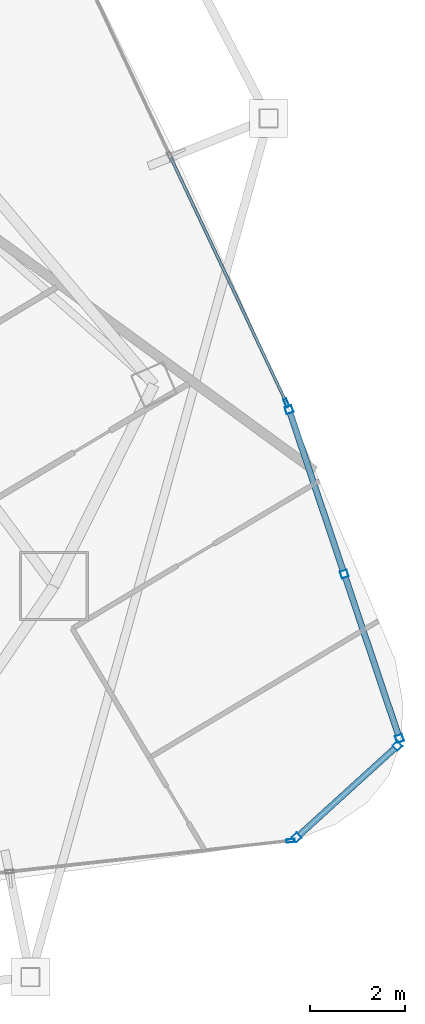
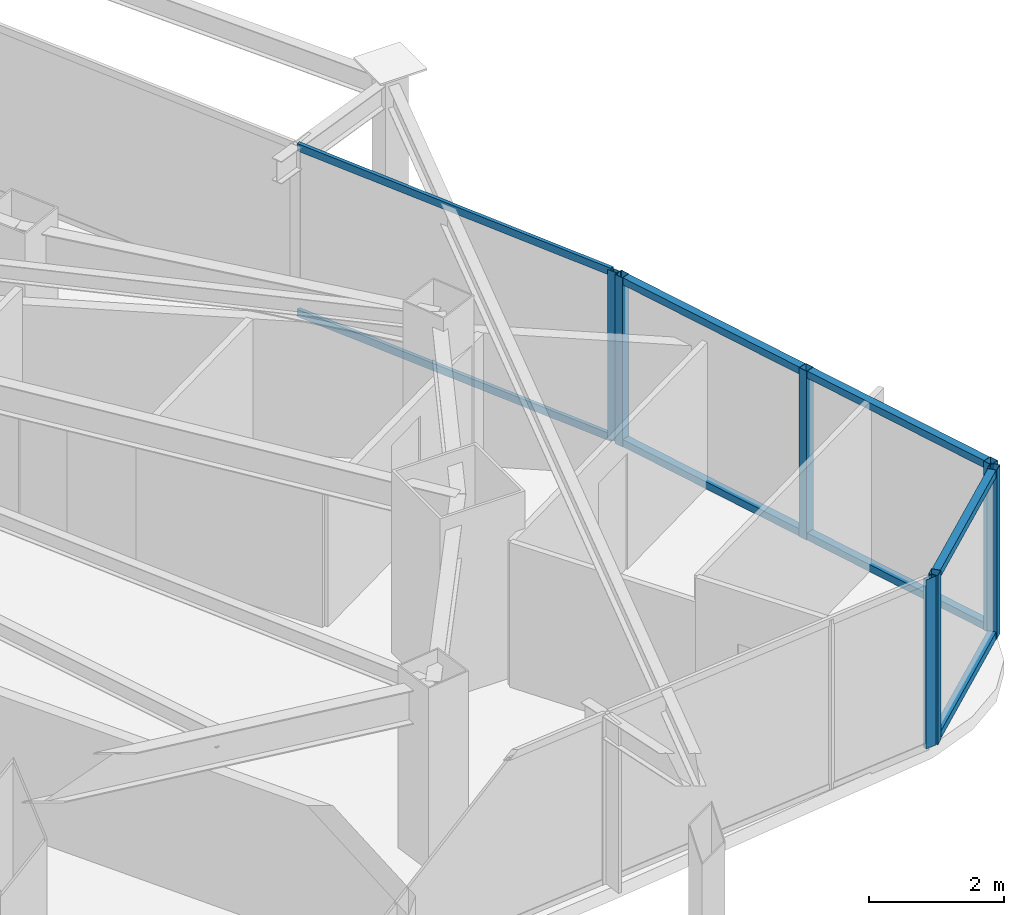
# One storey, part 14 of 33: 15 members, 4 elements without a shape of their own.
"""IFC4 building model written with IfcOpenShell, lengths in metres."""

from ifc_helpers import new_model, si_unit, direction, frame, origin, origin_2d, place, context, subcontext, project, spatial, hollow_rectangle, extrude, material, layer, layer_set, material_profile, profile_set, type_object, element, aggregate, save


model = new_model("IFC4")

# Units and contexts
model_context = context("Model", 3, precision=1e-05, world=origin(), true_north=direction((0.0, 1.0)))
body_context = subcontext(model_context, "Body", "Model", "MODEL_VIEW")
ifc_project = project(units=[si_unit("LENGTHUNIT", "METRE"), si_unit("AREAUNIT", "SQUARE_METRE"), si_unit("VOLUMEUNIT", "CUBIC_METRE"), si_unit("PLANEANGLEUNIT", "RADIAN"), si_unit("MASSUNIT", "GRAM", prefix="KILO")], contexts=[model_context])

# Site, building, storey
site_placement = place(None, origin())
site = spatial("IfcSite", under=ifc_project, at=site_placement, CompositionType="ELEMENT")
building_placement = place(site_placement, origin())
building = spatial("IfcBuilding", under=site, at=building_placement, Name="Orvanel Arch Residences", CompositionType="ELEMENT")
storey_placement = place(building_placement, frame((0.0, 0.0, 123.199951171875)))
storey = spatial("IfcBuildingStorey", under=building, at=storey_placement, Name="L34", CompositionType="ELEMENT", Elevation=123.199951171875)

# Curtain wall, members
ifc_material = material(Name="Bronze-anodised aluminium AA6063-T6", Category="aluminium")
ifc_layer_1 = layer(ifc_material, 0.18994140625)
ifc_layer_set_1 = layer_set([ifc_layer_1], Name="Bronze-anodised aluminium AA6063-T6")
curtain_wall_type_1 = type_object("IfcCurtainWallType", Name="CW5-CRN-SYS", PredefinedType="NOTDEFINED", material=ifc_layer_set_1)
curtain_wall_1_placement = place(storey_placement, origin())
curtain_wall_1 = element("IfcCurtainWall", 1, at=curtain_wall_1_placement, inside=storey, type_object=curtain_wall_type_1, Name="L34 CW5-CRN-SYS Unitised Curtain Wall", PredefinedType="NOTDEFINED")
ifc_material_profile_1 = material_profile(ifc_material, hollow_rectangle(XDim=0.14990234375, YDim=0.14990234375, WallThickness=0.0048828125, at=origin_2d()), Name="ALU150x150x5")
ifc_profile_set_1 = profile_set([ifc_material_profile_1], Name="Bronze-anodised aluminium AA6063-T6")
member_type_1 = type_object("IfcMemberType", Name="MUL-150x150", PredefinedType="MULLION", material=ifc_profile_set_1)
member_1_placement = place(storey_placement, frame((56.905517578125, 5.0634765625, 0.0), z_axis=(0.0, 0.0, 1.0), x_axis=(-0.672474713141, 0.740120098488, 0.0)))
member_1 = element("IfcMember", 2, at=member_1_placement, type_object=member_type_1, Name="CW-S5 mullion 1", PredefinedType="MULLION", context=body_context, shape_type="SweptSolid", body=[
    extrude(hollow_rectangle(XDim=0.14990234375, YDim=0.14990234375, WallThickness=0.0048828125, at=origin_2d()), origin(), (0.0, 0.0, 1.0), 3.06005859375),
])
member_2_placement = place(storey_placement, frame((59.026611328125, 6.990478515625, 0.0), z_axis=(0.0, 0.0, 1.0), x_axis=(-0.672474713141, 0.740120098488, 0.0)))
member_2 = element("IfcMember", 3, at=member_2_placement, type_object=member_type_1, Name="CW-S5 mullion 2", PredefinedType="MULLION", context=body_context, shape_type="SweptSolid", body=[
    extrude(hollow_rectangle(XDim=0.14990234375, YDim=0.14990234375, WallThickness=0.0048828125, at=origin_2d()), origin(), (0.0, 0.0, 1.0), 3.06005859375),
])

curtain_wall_2_placement = place(storey_placement, origin())
curtain_wall_2 = element("IfcCurtainWall", 4, at=curtain_wall_2_placement, inside=storey, type_object=curtain_wall_type_1, Name="L34 CW5-CRN-SYS Unitised Curtain Wall", PredefinedType="NOTDEFINED")
member_3_placement = place(storey_placement, frame((59.067138671875, 7.14404296875, 0.0), z_axis=(0.0, 0.0, 1.0), x_axis=(-0.947955325497, -0.318403361888, 0.0)))
member_3 = element("IfcMember", 5, at=member_3_placement, type_object=member_type_1, Name="CW-S5 mullion 1", PredefinedType="MULLION", context=body_context, shape_type="SweptSolid", body=[
    extrude(hollow_rectangle(XDim=0.14990234375, YDim=0.14990234375, WallThickness=0.0048828125, at=origin_2d()), origin(), (0.0, 0.0, 1.0), 3.06005859375),
])
member_4_placement = place(storey_placement, frame((57.906005859375, 10.60107421875, 0.0), z_axis=(0.0, 0.0, 1.0), x_axis=(-0.947955325497, -0.318403361888, 0.0)))
member_4 = element("IfcMember", 6, at=member_4_placement, type_object=member_type_1, Name="CW-S5 mullion 2", PredefinedType="MULLION", context=body_context, shape_type="SweptSolid", body=[
    extrude(hollow_rectangle(XDim=0.14990234375, YDim=0.14990234375, WallThickness=0.0048828125, at=origin_2d()), origin(), (0.0, 0.0, 1.0), 3.06005859375),
])
member_5_placement = place(storey_placement, frame((56.744873046875, 14.057861328125, 0.0), z_axis=(0.0, 0.0, 1.0), x_axis=(-0.947955325497, -0.318403361888, 0.0)))
member_5 = element("IfcMember", 7, at=member_5_placement, type_object=member_type_1, Name="CW-S5 mullion 3", PredefinedType="MULLION", context=body_context, shape_type="SweptSolid", body=[
    extrude(hollow_rectangle(XDim=0.14990234375, YDim=0.14990234375, WallThickness=0.0048828125, at=origin_2d()), origin(), (0.0, 0.0, 1.0), 3.06005859375),
])

# Curtain wall, member
ifc_layer_2 = layer(ifc_material, 0.179931640625)
ifc_layer_set_2 = layer_set([ifc_layer_2], Name="Bronze-anodised aluminium AA6063-T6")
curtain_wall_type_2 = type_object("IfcCurtainWallType", Name="CW3-MID-SYS", PredefinedType="NOTDEFINED", material=ifc_layer_set_2)
curtain_wall_3_placement = place(storey_placement, origin())
curtain_wall_3 = element("IfcCurtainWall", 8, at=curtain_wall_3_placement, inside=storey, type_object=curtain_wall_type_2, Name="L34 CW3-MID-SYS Unitised Curtain Wall", PredefinedType="NOTDEFINED")
ifc_material_profile_2 = material_profile(ifc_material, hollow_rectangle(XDim=0.070068359375, YDim=0.179931640625, WallThickness=0.00439453125, at=origin_2d()), Name="ALU180x70x4.5")
ifc_profile_set_2 = profile_set([ifc_material_profile_2], Name="Bronze-anodised aluminium AA6063-T6")
member_type_2 = type_object("IfcMemberType", Name="MUL-180x70", PredefinedType="MULLION", material=ifc_profile_set_2)
member_6_placement = place(storey_placement, frame((56.7802734375, 4.994140625, 0.0), z_axis=(0.0, 0.0, 1.0), x_axis=(-0.109397745116, 0.99399805501, 0.0)))
member_6 = element("IfcMember", 9, at=member_6_placement, type_object=member_type_2, Name="CW-S3 mullion 4", PredefinedType="MULLION", context=body_context, shape_type="SweptSolid", body=[
    extrude(hollow_rectangle(XDim=0.070068359375, YDim=0.179931640625, WallThickness=0.00439453125, at=origin_2d()), origin(), (0.0, 0.0, 1.0), 3.06005859375),
])
aggregate(curtain_wall_3, [member_6])

curtain_wall_4_placement = place(storey_placement, origin())
curtain_wall_4 = element("IfcCurtainWall", 10, at=curtain_wall_4_placement, inside=storey, type_object=curtain_wall_type_2, Name="L34 CW3-MID-SYS Unitised Curtain Wall", PredefinedType="NOTDEFINED")
member_7_placement = place(storey_placement, frame((56.691162109375, 14.19775390625, 0.0), z_axis=(0.0, 0.0, 1.0), x_axis=(-0.904551426474, -0.426364535184, 0.0)))
member_7 = element("IfcMember", 11, at=member_7_placement, type_object=member_type_2, Name="CW-S3 mullion 1", PredefinedType="MULLION", context=body_context, shape_type="SweptSolid", body=[
    extrude(hollow_rectangle(XDim=0.070068359375, YDim=0.179931640625, WallThickness=0.00439453125, at=origin_2d()), origin(), (0.0, 0.0, 1.0), 3.06005859375),
])

# Member
ifc_material_profile_3 = material_profile(ifc_material, hollow_rectangle(XDim=0.1298828125, YDim=0.1298828125, WallThickness=0.00439453125, at=origin_2d()), Name="ALU130x130x4.5")
ifc_profile_set_3 = profile_set([ifc_material_profile_3], Name="Bronze-anodised aluminium AA6063-T6")
member_type_3 = type_object("IfcMemberType", Name="TRN-130x130", PredefinedType="USERDEFINED", material=ifc_profile_set_3)
member_8_placement = place(storey_placement, frame((56.9609375, 5.11376953125, 0.06494140625), z_axis=(0.740098689588, 0.672498274846, 0.0), x_axis=(-0.672498274846, 0.740098689588, 0.0)))
member_8 = element("IfcMember", 12, at=member_8_placement, type_object=member_type_3, Name="CW-S5 transom 1.1", ObjectType="TRANSOM", PredefinedType="USERDEFINED", context=body_context, shape_type="SweptSolid", body=[
    extrude(hollow_rectangle(XDim=0.1298828125, YDim=0.1298828125, WallThickness=0.00439453125, at=origin_2d()), origin(), (0.0, 0.0, 1.0), 2.7158203125),
])

member_9_placement = place(storey_placement, frame((56.9609375, 5.11376953125, 2.9951171875), z_axis=(0.740098689588, 0.672498274846, 0.0), x_axis=(-0.672498274846, 0.740098689588, 0.0)))
member_9 = element("IfcMember", 13, at=member_9_placement, type_object=member_type_3, Name="CW-S5 transom 1.2", ObjectType="TRANSOM", PredefinedType="USERDEFINED", context=body_context, shape_type="SweptSolid", body=[
    extrude(hollow_rectangle(XDim=0.1298828125, YDim=0.1298828125, WallThickness=0.00439453125, at=origin_2d()), origin(), (0.0, 0.0, 1.0), 2.7158203125),
])

aggregate(curtain_wall_1, [member_1, member_2, member_8, member_9])

member_10_placement = place(storey_placement, frame((59.043212890625, 7.215087890625, 0.06494140625), z_axis=(-0.318384421653, 0.947961687015, 0.0), x_axis=(-0.947961687015, -0.318384421653, 0.0)))
member_10 = element("IfcMember", 14, at=member_10_placement, type_object=member_type_3, Name="CW-S5 transom 1.1", ObjectType="TRANSOM", PredefinedType="USERDEFINED", context=body_context, shape_type="SweptSolid", body=[
    extrude(hollow_rectangle(XDim=0.1298828125, YDim=0.1298828125, WallThickness=0.00439453125, at=origin_2d()), origin(), (0.0, 0.0, 1.0), 3.49658203125),
])

member_11_placement = place(storey_placement, frame((59.043212890625, 7.215087890625, 2.9951171875), z_axis=(-0.318384421653, 0.947961687015, 0.0), x_axis=(-0.947961687015, -0.318384421653, 0.0)))
member_11 = element("IfcMember", 15, at=member_11_placement, type_object=member_type_3, Name="CW-S5 transom 1.2", ObjectType="TRANSOM", PredefinedType="USERDEFINED", context=body_context, shape_type="SweptSolid", body=[
    extrude(hollow_rectangle(XDim=0.1298828125, YDim=0.1298828125, WallThickness=0.00439453125, at=origin_2d()), origin(), (0.0, 0.0, 1.0), 3.49658203125),
])

member_12_placement = place(storey_placement, frame((57.882080078125, 10.672119140625, 0.06494140625), z_axis=(-0.318384421653, 0.947961687015, 0.0), x_axis=(-0.947961687015, -0.318384421653, 0.0)))
member_12 = element("IfcMember", 16, at=member_12_placement, type_object=member_type_3, Name="CW-S5 transom 2.1", ObjectType="TRANSOM", PredefinedType="USERDEFINED", context=body_context, shape_type="SweptSolid", body=[
    extrude(hollow_rectangle(XDim=0.1298828125, YDim=0.1298828125, WallThickness=0.00439453125, at=origin_2d()), origin(), (0.0, 0.0, 1.0), 3.49658203125),
])

member_13_placement = place(storey_placement, frame((57.882080078125, 10.672119140625, 2.9951171875), z_axis=(-0.318384421653, 0.947961687015, 0.0), x_axis=(-0.947961687015, -0.318384421653, 0.0)))
member_13 = element("IfcMember", 17, at=member_13_placement, type_object=member_type_3, Name="CW-S5 transom 2.2", ObjectType="TRANSOM", PredefinedType="USERDEFINED", context=body_context, shape_type="SweptSolid", body=[
    extrude(hollow_rectangle(XDim=0.1298828125, YDim=0.1298828125, WallThickness=0.00439453125, at=origin_2d()), origin(), (0.0, 0.0, 1.0), 3.49658203125),
])

aggregate(curtain_wall_2, [member_3, member_4, member_5, member_10, member_11, member_12, member_13])

ifc_material_profile_4 = material_profile(ifc_material, hollow_rectangle(XDim=0.06005859375, YDim=0.135009765625, WallThickness=0.00390625, at=origin_2d()), Name="ALU135x60x4")
ifc_profile_set_4 = profile_set([ifc_material_profile_4], Name="Bronze-anodised aluminium AA6063-T6")
member_type_4 = type_object("IfcMemberType", Name="TRN-135x60", PredefinedType="USERDEFINED", material=ifc_profile_set_4)
member_14_placement = place(storey_placement, frame((56.67626953125, 14.229248046875, 0.030029296875), z_axis=(-0.42637187979, 0.904547964524, 0.0), x_axis=(-0.904547964524, -0.42637187979, 0.0)))
member_14 = element("IfcMember", 18, at=member_14_placement, type_object=member_type_4, Name="CW-S3 transom 1.1", ObjectType="TRANSOM", PredefinedType="USERDEFINED", context=body_context, shape_type="SweptSolid", body=[
    extrude(hollow_rectangle(XDim=0.06005859375, YDim=0.135009765625, WallThickness=0.00390625, at=origin_2d()), origin(), (0.0, 0.0, 1.0), 5.664794921875),
])

member_15_placement = place(storey_placement, frame((56.67626953125, 14.229248046875, 3.030029296875), z_axis=(-0.42637187979, 0.904547964524, 0.0), x_axis=(-0.904547964524, -0.42637187979, 0.0)))
member_15 = element("IfcMember", 19, at=member_15_placement, type_object=member_type_4, Name="CW-S3 transom 1.2", ObjectType="TRANSOM", PredefinedType="USERDEFINED", context=body_context, shape_type="SweptSolid", body=[
    extrude(hollow_rectangle(XDim=0.06005859375, YDim=0.135009765625, WallThickness=0.00390625, at=origin_2d()), origin(), (0.0, 0.0, 1.0), 5.664794921875),
])

aggregate(curtain_wall_4, [member_7, member_14, member_15])

save(model, "model.ifc")
